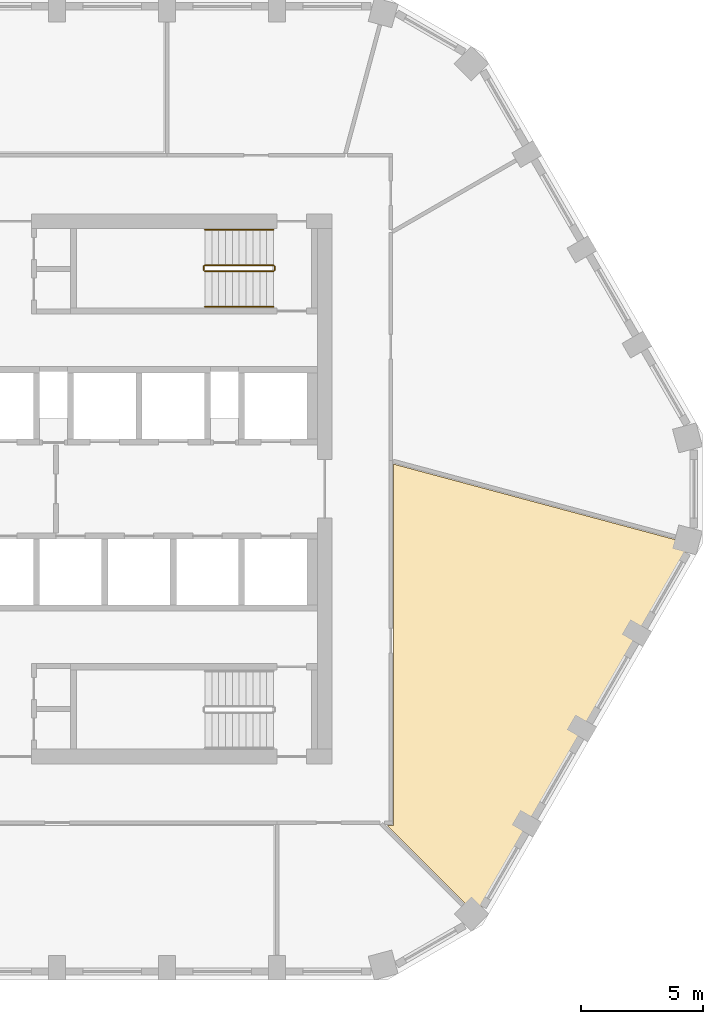
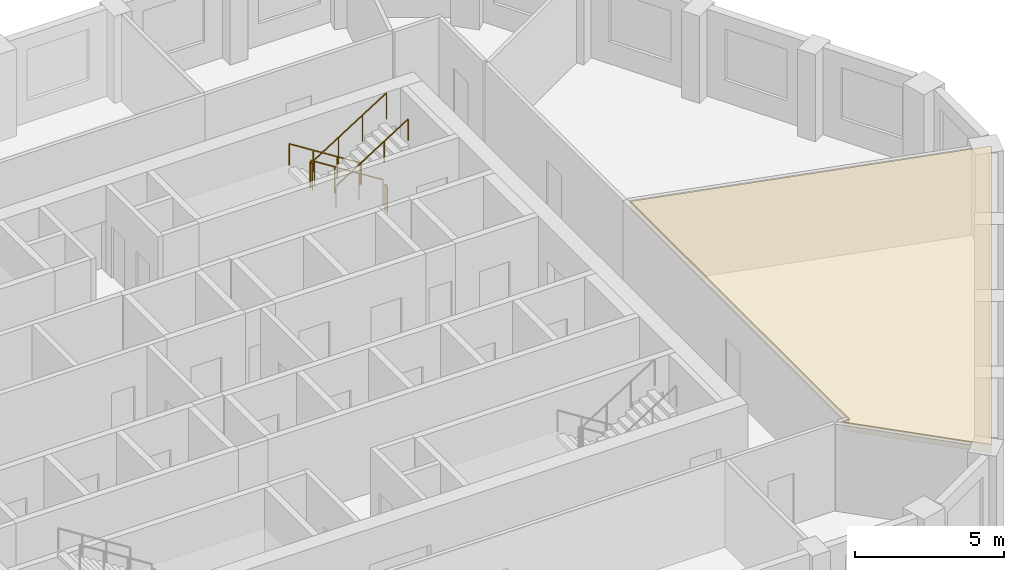
# One storey, part 9 of 10: 6 railings, 1 covering.
"""IFC4 building model written with IfcOpenShell, lengths in metres."""

from ifc_helpers import new_model, si_unit, direction, frame, origin, origin_2d, place, context, subcontext, project, spatial, polyline, circle, outline, extrude, material, layer, layer_set, type_object, element, save


model = new_model("IFC4")

# Units and contexts
model_context = context("Model", 3, precision=1e-05, world=origin(), true_north=direction((0.0, 1.0)))
body_context = subcontext(model_context, "Body", "Model", "MODEL_VIEW")
ifc_project = project(units=[si_unit("LENGTHUNIT", "METRE"), si_unit("AREAUNIT", "SQUARE_METRE"), si_unit("VOLUMEUNIT", "CUBIC_METRE"), si_unit("PLANEANGLEUNIT", "RADIAN"), si_unit("MASSUNIT", "GRAM", prefix="KILO")], contexts=[model_context])

# Site, building, storey
site_placement = place(None, origin())
site = spatial("IfcSite", under=ifc_project, at=site_placement, CompositionType="ELEMENT")
building_placement = place(site_placement, origin())
building = spatial("IfcBuilding", under=site, at=building_placement, Name="Dhurran Vertical Campus", CompositionType="ELEMENT")
storey_placement = place(building_placement, frame((0.0, 0.0, 239.10009765625)))
storey = spatial("IfcBuildingStorey", under=building, at=storey_placement, Name="L59", CompositionType="ELEMENT", Elevation=239.10009765625)

# Railings
ifc_material_1 = material(Name="Stainless steel balustrade", Category="steel")
railing_type_1 = type_object("IfcRailingType", Name="co-RL-GUARD-1100", PredefinedType="GUARDRAIL", material=ifc_material_1)
railing_1_placement = place(storey_placement, frame((11.10009765625, 9.14990234375, 0.17724609375)))
element("IfcRailing", 1, at=railing_1_placement, inside=storey, type_object=railing_type_1, Name="L59 ST2 stair guard 1", PredefinedType="GUARDRAIL", context=body_context, shape_type="SweptSolid", body=[
    extrude(circle(Radius=0.02392578125, at=origin_2d()), frame((0.0, 0.0, 1.076171875), z_axis=(-0.844908973607, 0.0, 0.534910110503), x_axis=(0.0, -1.0, 0.0)), (0.0, 0.0, 1.0), 3.31396484375),
    extrude(circle(Radius=0.02099609375, at=origin_2d()), origin(), (0.0, 0.0, 1.0), 1.052001953125),
    extrude(circle(Radius=0.02099609375, at=origin_2d()), frame((-0.933349609375, 0.0, 0.5908203125)), (0.0, 0.0, 1.0), 1.052001953125),
    extrude(circle(Radius=0.02099609375, at=origin_2d()), frame((-1.86669921875, 0.0, 1.181884765625)), (0.0, 0.0, 1.0), 1.052001953125),
    extrude(circle(Radius=0.02099609375, at=origin_2d()), frame((-2.800048828125, 0.0, 1.772705078125)), (0.0, 0.0, 1.0), 1.052001953125),
])
railing_2_placement = place(storey_placement, frame((8.25, 9.10009765625, 1.949951171875)))
element("IfcRailing", 2, at=railing_2_placement, inside=storey, type_object=railing_type_1, Name="L59 ST2 stair guard 2", PredefinedType="GUARDRAIL", context=body_context, shape_type="SweptSolid", body=[
    extrude(circle(Radius=0.02392578125, at=origin_2d()), frame((0.0, 0.0, 1.076171875), z_axis=(0.0, -1.0, 0.0), x_axis=(1.0, 0.0, 0.0)), (0.0, 0.0, 1.0), 0.150146484375),
    extrude(circle(Radius=0.02099609375, at=origin_2d()), origin(), (0.0, 0.0, 1.0), 1.052001953125),
    extrude(circle(Radius=0.02099609375, at=origin_2d()), frame((0.0, -0.150146484375, 0.0)), (0.0, 0.0, 1.0), 1.052001953125),
])
railing_3_placement = place(storey_placement, frame((8.300048828125, 8.89990234375, 2.127197265625)))
element("IfcRailing", 3, at=railing_3_placement, inside=storey, type_object=railing_type_1, Name="L59 ST2 stair guard 3", PredefinedType="GUARDRAIL", context=body_context, shape_type="SweptSolid", body=[
    extrude(circle(Radius=0.02392578125, at=origin_2d()), frame((0.0, 0.0, 1.076171875), z_axis=(0.844908973607, 0.0, 0.534910110503), x_axis=(0.0, 1.0, 0.0)), (0.0, 0.0, 1.0), 3.31396484375),
    extrude(circle(Radius=0.02099609375, at=origin_2d()), origin(), (0.0, 0.0, 1.0), 1.052001953125),
    extrude(circle(Radius=0.02099609375, at=origin_2d()), frame((0.933349609375, 0.0, 0.5908203125)), (0.0, 0.0, 1.0), 1.052001953125),
    extrude(circle(Radius=0.02099609375, at=origin_2d()), frame((1.86669921875, 0.0, 1.181884765625)), (0.0, 0.0, 1.0), 1.052001953125),
    extrude(circle(Radius=0.02099609375, at=origin_2d()), frame((2.800048828125, 0.0, 1.772705078125)), (0.0, 0.0, 1.0), 1.052001953125),
])
railing_4_placement = place(storey_placement, frame((11.14990234375, 9.10009765625, 0.0)))
element("IfcRailing", 4, at=railing_4_placement, inside=storey, type_object=railing_type_1, Name="L59 ST2 stair guard 4", PredefinedType="GUARDRAIL", context=body_context, shape_type="SweptSolid", body=[
    extrude(circle(Radius=0.02392578125, at=origin_2d()), frame((0.0, 0.0, 1.076171875), z_axis=(0.0, -1.0, 0.0), x_axis=(1.0, 0.0, 0.0)), (0.0, 0.0, 1.0), 0.150146484375),
    extrude(circle(Radius=0.02099609375, at=origin_2d()), origin(), (0.0, 0.0, 1.0), 1.052001953125),
    extrude(circle(Radius=0.02099609375, at=origin_2d()), frame((0.0, -0.150146484375, 0.0)), (0.0, 0.0, 1.0), 1.052001953125),
])
ifc_material_2 = material(Name="Stainless steel handrail", Category="steel")
railing_type_2 = type_object("IfcRailingType", Name="co-RL-HANDRAIL-900", PredefinedType="HANDRAIL", material=ifc_material_2)
railing_5_placement = place(storey_placement, frame((11.10009765625, 10.60009765625, 0.17724609375)))
element("IfcRailing", 5, at=railing_5_placement, inside=storey, type_object=railing_type_2, Name="L59 ST2 stair handrail 1", PredefinedType="HANDRAIL", context=body_context, shape_type="SweptSolid", body=[
    extrude(circle(Radius=0.02392578125, at=origin_2d()), frame((0.0, 0.0, 0.8759765625), z_axis=(-0.844908973607, 0.0, 0.534910110503), x_axis=(0.0, -1.0, 0.0)), (0.0, 0.0, 1.0), 3.31396484375),
    extrude(circle(Radius=0.02099609375, at=origin_2d()), origin(), (0.0, 0.0, 1.0), 0.851806640625),
    extrude(circle(Radius=0.02099609375, at=origin_2d()), frame((-0.933349609375, 0.0, 0.5908203125)), (0.0, 0.0, 1.0), 0.851806640625),
    extrude(circle(Radius=0.02099609375, at=origin_2d()), frame((-1.86669921875, 0.0, 1.181884765625)), (0.0, 0.0, 1.0), 0.851806640625),
    extrude(circle(Radius=0.02099609375, at=origin_2d()), frame((-2.800048828125, 0.0, 1.772705078125)), (0.0, 0.0, 1.0), 0.851806640625),
])
railing_6_placement = place(storey_placement, frame((8.300048828125, 7.449951171875, 2.127197265625)))
element("IfcRailing", 6, at=railing_6_placement, inside=storey, type_object=railing_type_2, Name="L59 ST2 stair handrail 2", PredefinedType="HANDRAIL", context=body_context, shape_type="SweptSolid", body=[
    extrude(circle(Radius=0.02392578125, at=origin_2d()), frame((0.0, 0.0, 0.8759765625), z_axis=(0.844908973607, 0.0, 0.534910110503), x_axis=(0.0, 1.0, 0.0)), (0.0, 0.0, 1.0), 3.31396484375),
    extrude(circle(Radius=0.02099609375, at=origin_2d()), origin(), (0.0, 0.0, 1.0), 0.851806640625),
    extrude(circle(Radius=0.02099609375, at=origin_2d()), frame((0.933349609375, 0.0, 0.5908203125)), (0.0, 0.0, 1.0), 0.851806640625),
    extrude(circle(Radius=0.02099609375, at=origin_2d()), frame((1.86669921875, 0.0, 1.181884765625)), (0.0, 0.0, 1.0), 0.851806640625),
    extrude(circle(Radius=0.02099609375, at=origin_2d()), frame((2.800048828125, 0.0, 1.772705078125)), (0.0, 0.0, 1.0), 0.851806640625),
])

# Covering
ifc_material_3 = material(Name="Mineral fibre ceiling tiles on suspended grid")
ifc_layer = layer(ifc_material_3, 0.35009765625)
ifc_layer_set = layer_set([ifc_layer], Name="Mineral fibre ceiling tiles on suspended grid")
covering_type = type_object("IfcCoveringType", Name="fl-CE-350 suspended ceiling", PredefinedType="CEILING", material=ifc_layer_set)
covering_placement = place(storey_placement, frame((0.0, 0.0, 3.224853515625)))
element("IfcCovering", 7, at=covering_placement, inside=storey, type_object=covering_type, Name="Ceiling 59-14", PredefinedType="CEILING", context=body_context, shape_type="SweptSolid", body=[
    extrude(outline(polyline([(28.1650390625, -2.2451171875), (19.40087890625, -17.424072265625), (15.7490234375, -13.77001953125), (16.02001953125, -13.77001953125), (16.02001953125, 1.010009765625), (28.1650390625, -2.2451171875)])), origin(), (0.0, 0.0, 1.0), 0.35009765625),
])

save(model, "model.ifc")
